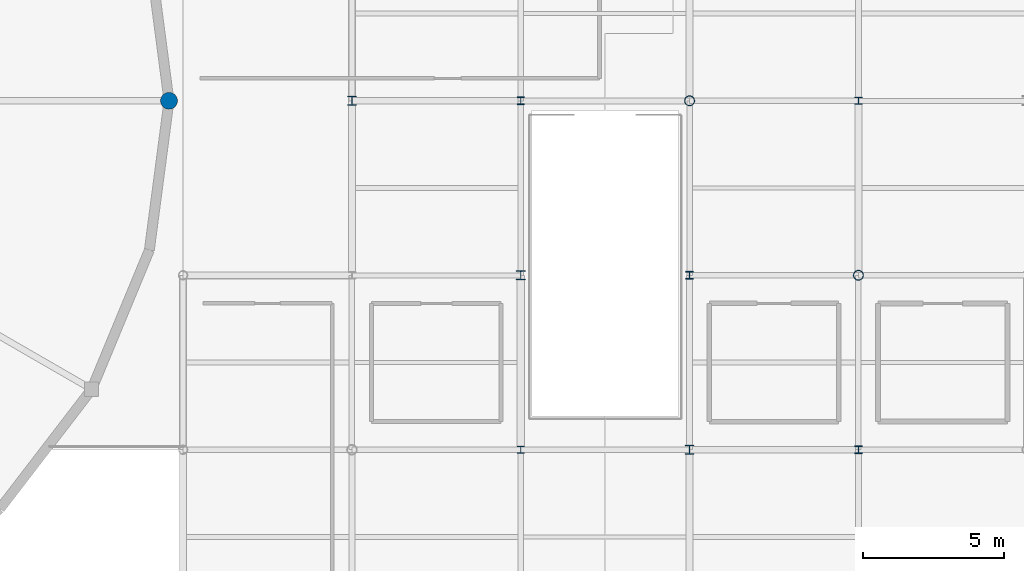
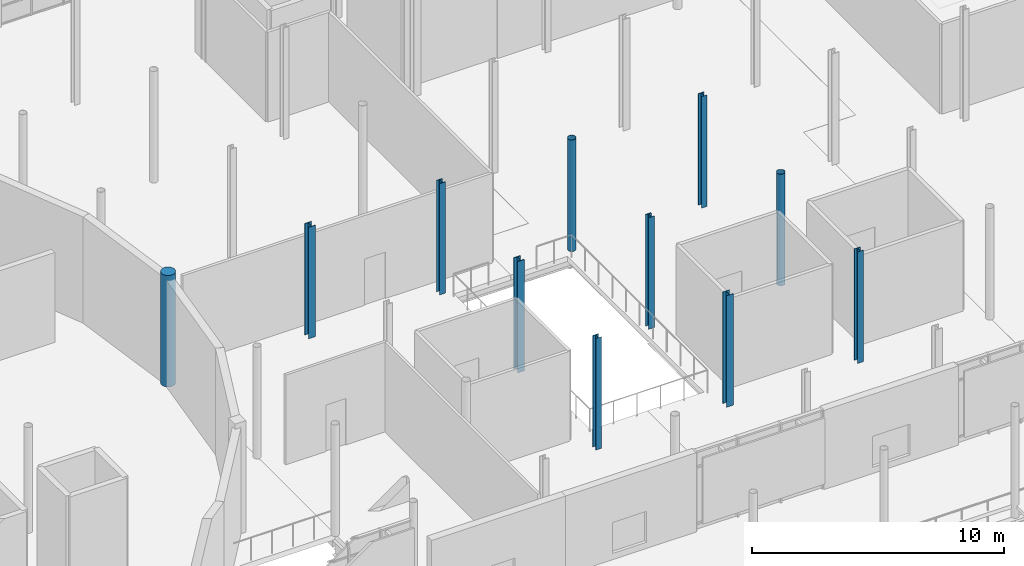
# One storey, part 7 of 105: 11 columns.
"""IFC4 building model written with IfcOpenShell, lengths in metres."""

from ifc_helpers import new_model, si_unit, direction, frame, origin, origin_2d, place, context, subcontext, project, spatial, circle, hollow_circle, i_section, extrude, material, material_profile, profile_set, type_object, element, save


model = new_model("IFC4")

# Units and contexts
model_context = context("Model", 3, precision=1e-05, world=origin(), true_north=direction((0.0, 1.0)))
body_context = subcontext(model_context, "Body", "Model", "MODEL_VIEW")
ifc_project = project(units=[si_unit("LENGTHUNIT", "METRE"), si_unit("AREAUNIT", "SQUARE_METRE"), si_unit("VOLUMEUNIT", "CUBIC_METRE"), si_unit("PLANEANGLEUNIT", "RADIAN"), si_unit("MASSUNIT", "GRAM", prefix="KILO")], contexts=[model_context])

# Site, building, storey
site_placement = place(None, origin())
site = spatial("IfcSite", under=ifc_project, at=site_placement, CompositionType="ELEMENT")
building_placement = place(site_placement, origin())
building = spatial("IfcBuilding", under=site, at=building_placement, Name="Mirzam Square Science Centre", CompositionType="ELEMENT")
storey_placement = place(building_placement, frame((0.0, 0.0, 5.39990234375)))
storey = spatial("IfcBuildingStorey", under=building, at=storey_placement, Name="L01", CompositionType="ELEMENT", Elevation=5.39990234375)

# Columns
ifc_material_1 = material(Name="Steel S355", Category="steel")
ifc_material_profile_1 = material_profile(ifc_material_1, hollow_circle(Radius=0.177734375, WallThickness=0.012451171875, at=origin_2d()), Name="355.6x12.5CHS")
ifc_profile_set_1 = profile_set([ifc_material_profile_1], Name="Steel S355")
column_type_1 = type_object("IfcColumnType", Name="COL-CHS355", PredefinedType="COLUMN", material=ifc_profile_set_1)
for number, where, z_axis, x_axis, name in (
    (1, (120.0, 62.0, 0.0), (0.0, 0.0, 1.0), (1.0, 0.0, 0.0), "L01 column G21-11"),
    (2, (126.0, 55.800048828125, 0.0), (0.0, 0.0, 1.0), (1.0, 0.0, 0.0), "L01 column G22-10"),
):
    element("IfcColumn", number, at=place(storey_placement, frame(where, z_axis=z_axis, x_axis=x_axis)), inside=storey, type_object=column_type_1, Name=name, PredefinedType="COLUMN", context=body_context, shape_type="SweptSolid", body=[
        extrude(hollow_circle(Radius=0.177734375, WallThickness=0.012451171875, at=origin_2d()), origin(), (0.0, 0.0, 1.0), 5.400146484375),
    ])
ifc_material_profile_2 = material_profile(ifc_material_1, i_section(OverallWidth=0.25634765625, OverallDepth=0.26025390625, WebThickness=0.01025390625, FlangeThickness=0.017333984375, FilletRadius=0.0126953125, at=origin_2d()), Name="254x254x89UC")
ifc_profile_set_2 = profile_set([ifc_material_profile_2], Name="Steel S355")
column_type_2 = type_object("IfcColumnType", Name="COL-UC254A", PredefinedType="COLUMN", material=ifc_profile_set_2)
for number, where, z_axis, x_axis, name in (
    (3, (114.0, 49.60009765625, 0.0), (0.0, 0.0, 1.0), (1.0, 0.0, 0.0), "L01 column G20-09"),
    (4, (126.0, 62.0, 0.0), (0.0, 0.0, 1.0), (1.0, 0.0, 0.0), "L01 column G22-11"),
):
    element("IfcColumn", number, at=place(storey_placement, frame(where, z_axis=z_axis, x_axis=x_axis)), inside=storey, type_object=column_type_2, Name=name, PredefinedType="COLUMN", context=body_context, shape_type="SweptSolid", body=[
        extrude(i_section(OverallWidth=0.25634765625, OverallDepth=0.26025390625, WebThickness=0.01025390625, FlangeThickness=0.017333984375, FilletRadius=0.0126953125, at=origin_2d()), origin(), (0.0, 0.0, 1.0), 5.400146484375),
    ])
ifc_material_profile_3 = material_profile(ifc_material_1, i_section(OverallWidth=0.26123046875, OverallDepth=0.2763671875, WebThickness=0.015380859375, FlangeThickness=0.025390625, FilletRadius=0.0126953125, at=origin_2d()), Name="254x254x132UC")
ifc_profile_set_3 = profile_set([ifc_material_profile_3], Name="Steel S355")
column_type_3 = type_object("IfcColumnType", Name="COL-UC254B", PredefinedType="COLUMN", material=ifc_profile_set_3)
for number, where, z_axis, x_axis, name in (
    (5, (114.0, 62.0, 0.0), (0.0, 0.0, 1.0), (1.0, 0.0, 0.0), "L01 column G20-11"),
    (6, (120.0, 55.800048828125, 0.0), (0.0, 0.0, 1.0), (1.0, 0.0, 0.0), "L01 column G21-10"),
    (7, (126.0, 49.60009765625, 0.0), (0.0, 0.0, 1.0), (1.0, 0.0, 0.0), "L01 column G22-09"),
):
    element("IfcColumn", number, at=place(storey_placement, frame(where, z_axis=z_axis, x_axis=x_axis)), inside=storey, type_object=column_type_3, Name=name, PredefinedType="COLUMN", context=body_context, shape_type="SweptSolid", body=[
        extrude(i_section(OverallWidth=0.26123046875, OverallDepth=0.2763671875, WebThickness=0.015380859375, FlangeThickness=0.025390625, FilletRadius=0.0126953125, at=origin_2d()), origin(), (0.0, 0.0, 1.0), 5.400146484375),
    ])
ifc_material_profile_4 = material_profile(ifc_material_1, i_section(OverallWidth=0.30908203125, OverallDepth=0.320556640625, WebThickness=0.013916015625, FlangeThickness=0.021728515625, FilletRadius=0.01513671875, at=origin_2d()), Name="305x305x137UC")
ifc_profile_set_4 = profile_set([ifc_material_profile_4], Name="Steel S355")
column_type_4 = type_object("IfcColumnType", Name="COL-UC305A", PredefinedType="COLUMN", material=ifc_profile_set_4)
for number, where, z_axis, x_axis, name in (
    (8, (108.0, 62.0, 0.0), (0.0, 0.0, 1.0), (1.0, 0.0, 0.0), "L01 column G19-11"),
    (9, (114.0, 55.800048828125, 0.0), (0.0, 0.0, 1.0), (1.0, 0.0, 0.0), "L01 column G20-10"),
    (10, (120.0, 49.60009765625, 0.0), (0.0, 0.0, 1.0), (1.0, 0.0, 0.0), "L01 column G21-09"),
):
    element("IfcColumn", number, at=place(storey_placement, frame(where, z_axis=z_axis, x_axis=x_axis)), inside=storey, type_object=column_type_4, Name=name, PredefinedType="COLUMN", context=body_context, shape_type="SweptSolid", body=[
        extrude(i_section(OverallWidth=0.30908203125, OverallDepth=0.320556640625, WebThickness=0.013916015625, FlangeThickness=0.021728515625, FilletRadius=0.01513671875, at=origin_2d()), origin(), (0.0, 0.0, 1.0), 5.400146484375),
    ])
ifc_material_2 = material(Name="Concrete C45/55", Category="concrete")
ifc_material_profile_5 = material_profile(ifc_material_2, circle(Radius=0.300048828125, at=origin_2d()), Name="RCD600")
ifc_profile_set_5 = profile_set([ifc_material_profile_5], Name="Concrete C45/55")
column_type_5 = type_object("IfcColumnType", Name="PIL-RCD600", PredefinedType="PILASTER", material=ifc_profile_set_5)
column_placement = place(storey_placement, frame((101.5, 62.0, 0.0), z_axis=(0.0, 0.0, 1.0), x_axis=(1.0, 0.0, 0.0)))
element("IfcColumn", 11, at=column_placement, inside=storey, type_object=column_type_5, Name="L01 drum pilaster 01", PredefinedType="PILASTER", context=body_context, shape_type="SweptSolid", body=[
    extrude(circle(Radius=0.300048828125, at=origin_2d()), origin(), (0.0, 0.0, 1.0), 5.400146484375),
])

save(model, "model.ifc")
